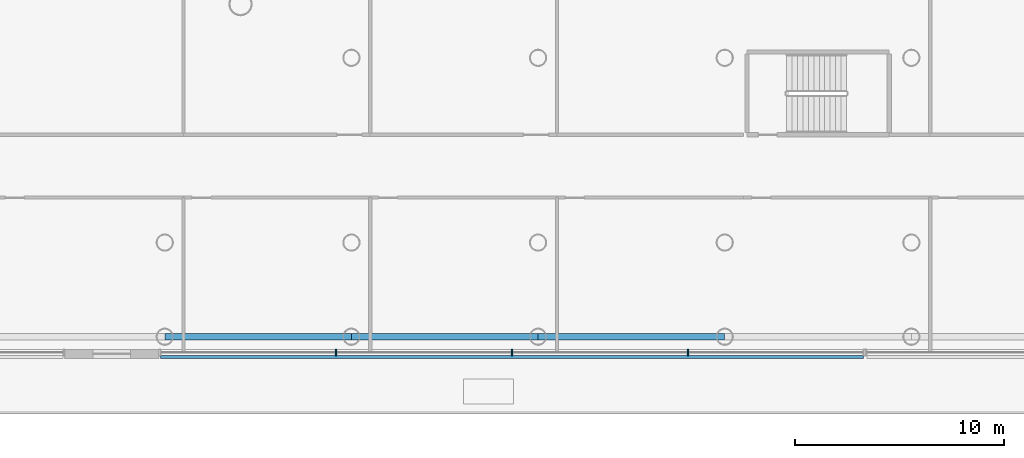
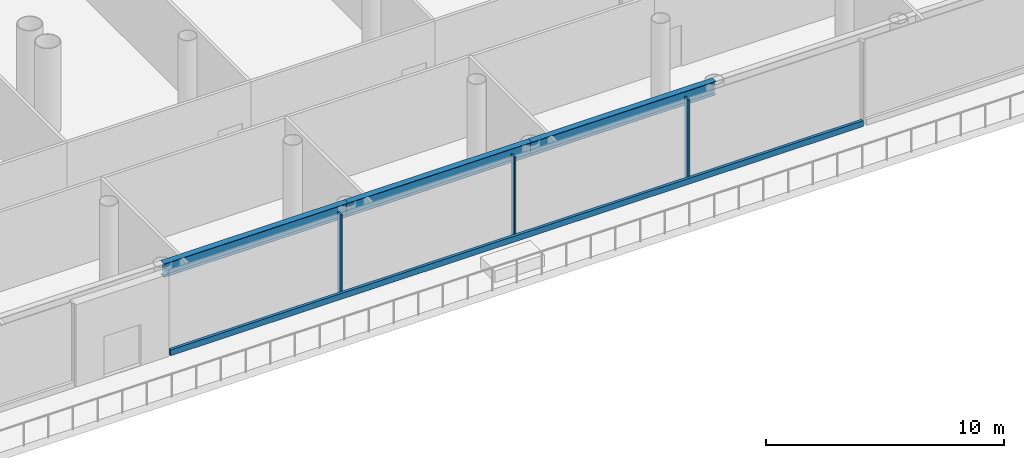
# One storey, part 6 of 51: 4 members, 3 beams, 1 element without a shape of its own.
"""IFC4 building model written with IfcOpenShell, lengths in metres."""

from ifc_helpers import new_model, si_unit, direction, frame, origin, origin_2d, place, context, subcontext, project, spatial, rectangle, i_section, extrude, material, layer, layer_set, material_profile, profile_set, type_object, element, aggregate, save


model = new_model("IFC4")

# Units and contexts
model_context = context("Model", 3, precision=1e-05, world=origin(), true_north=direction((0.0, 1.0)))
body_context = subcontext(model_context, "Body", "Model", "MODEL_VIEW")
ifc_project = project(units=[si_unit("LENGTHUNIT", "METRE"), si_unit("AREAUNIT", "SQUARE_METRE"), si_unit("VOLUMEUNIT", "CUBIC_METRE"), si_unit("PLANEANGLEUNIT", "RADIAN"), si_unit("MASSUNIT", "GRAM", prefix="KILO")], contexts=[model_context])

# Site, building, storey
site_placement = place(None, origin())
site = spatial("IfcSite", under=ifc_project, at=site_placement, CompositionType="ELEMENT")
building_placement = place(site_placement, origin())
building = spatial("IfcBuilding", under=site, at=building_placement, Name="Ipe Terrace Towers", CompositionType="ELEMENT")
storey_placement = place(building_placement, frame((0.0, 0.0, 15.5)))
storey = spatial("IfcBuildingStorey", under=building, at=storey_placement, Name="L03", CompositionType="ELEMENT", Elevation=15.5)

# Beams
ifc_material_1 = material(Name="Steel S355", Category="steel")
ifc_material_profile_1 = material_profile(ifc_material_1, i_section(OverallWidth=0.300048828125, OverallDepth=0.699951171875, WebThickness=0.012939453125, FlangeThickness=0.02392578125, at=origin_2d()), Name="H-700x300x13x24")
ifc_profile_set_1 = profile_set([ifc_material_profile_1], Name="Steel S355")
beam_type = type_object("IfcBeamType", Name="H13 DECK EDGE BEAM H-700x300x13x24", PredefinedType="BEAM", material=ifc_profile_set_1)
beam_1_placement = place(storey_placement, frame((-33.469970703125, -33.14990234375, 3.72998046875), z_axis=(1.0, 0.0, 0.0), x_axis=(0.0, 1.0, 0.0)))
element("IfcBeam", 1, at=beam_1_placement, inside=storey, type_object=beam_type, Name="Deck edge beam PD-TB-C05-C06", PredefinedType="BEAM", context=body_context, shape_type="SweptSolid", body=[
    extrude(i_section(OverallWidth=0.300048828125, OverallDepth=0.699951171875, WebThickness=0.012939453125, FlangeThickness=0.02392578125, at=origin_2d()), origin(), (0.0, 0.0, 1.0), 8.919921875),
])
beam_2_placement = place(storey_placement, frame((-24.550048828125, -33.14990234375, 3.72998046875), z_axis=(1.0, 0.0, 0.0), x_axis=(0.0, 1.0, 0.0)))
element("IfcBeam", 2, at=beam_2_placement, inside=storey, type_object=beam_type, Name="Deck edge beam PD-TB-C06-C07", PredefinedType="BEAM", context=body_context, shape_type="SweptSolid", body=[
    extrude(i_section(OverallWidth=0.300048828125, OverallDepth=0.699951171875, WebThickness=0.012939453125, FlangeThickness=0.02392578125, at=origin_2d()), origin(), (0.0, 0.0, 1.0), 8.920166015625),
])
beam_3_placement = place(storey_placement, frame((-15.6298828125, -33.14990234375, 3.72998046875), z_axis=(1.0, 0.0, 0.0), x_axis=(0.0, 1.0, 0.0)))
element("IfcBeam", 3, at=beam_3_placement, inside=storey, type_object=beam_type, Name="Deck edge beam PD-TB-C07-C08", PredefinedType="BEAM", context=body_context, shape_type="SweptSolid", body=[
    extrude(i_section(OverallWidth=0.300048828125, OverallDepth=0.699951171875, WebThickness=0.012939453125, FlangeThickness=0.02392578125, at=origin_2d()), origin(), (0.0, 0.0, 1.0), 8.919921875),
])

# Curtain wall, members
ifc_material_2 = material(Name="Aluminium alloy 6063-T6", Category="aluminium")
ifc_layer = layer(ifc_material_2, 0.43994140625)
ifc_layer_set = layer_set([ifc_layer], Name="PODIUM GLAZING CURTAIN WALL")
curtain_wall_type = type_object("IfcCurtainWallType", Name="PODIUM GLAZING CURTAIN WALL", PredefinedType="NOTDEFINED", material=ifc_layer_set)
curtain_wall_placement = place(storey_placement, origin())
curtain_wall = element("IfcCurtainWall", 4, at=curtain_wall_placement, inside=storey, type_object=curtain_wall_type, Name="POD-CW-L03-03c curtain wall", PredefinedType="NOTDEFINED")
ifc_material_3 = material(Name="Aluminium alloy 6063-T6", Category="aluminium")
ifc_material_profile_2 = material_profile(ifc_material_3, rectangle(XDim=0.300048828125, YDim=0.080078125, at=origin_2d()), Name="PODIUM GLAZING MULLION 300 x 80")
ifc_profile_set_2 = profile_set([ifc_material_profile_2], Name="Aluminium alloy 6063-T6")
member_type_1 = type_object("IfcMemberType", Name="PODIUM GLAZING MULLION 300 x 80", PredefinedType="MULLION", material=ifc_profile_set_2)
member_1_placement = place(storey_placement, frame((-25.29248046875, -33.89990234375, -0.02001953125), z_axis=(0.0, 0.0, 1.0), x_axis=(0.0, -1.0, 0.0)))
member_1 = element("IfcMember", 5, at=member_1_placement, type_object=member_type_1, Name="POD-CW-L03-03c mullion 2", PredefinedType="MULLION", context=body_context, shape_type="SweptSolid", body=[
    extrude(rectangle(XDim=0.300048828125, YDim=0.080078125, at=origin_2d()), origin(), (0.0, 0.0, 1.0), 4.219970703125),
])
member_2_placement = place(storey_placement, frame((-16.875, -33.89990234375, -0.02001953125), z_axis=(0.0, 0.0, 1.0), x_axis=(0.0, -1.0, 0.0)))
member_2 = element("IfcMember", 6, at=member_2_placement, type_object=member_type_1, Name="POD-CW-L03-03c mullion 3", PredefinedType="MULLION", context=body_context, shape_type="SweptSolid", body=[
    extrude(rectangle(XDim=0.300048828125, YDim=0.080078125, at=origin_2d()), origin(), (0.0, 0.0, 1.0), 4.219970703125),
])
member_3_placement = place(storey_placement, frame((-8.45751953125, -33.89990234375, -0.02001953125), z_axis=(0.0, 0.0, 1.0), x_axis=(0.0, -1.0, 0.0)))
member_3 = element("IfcMember", 7, at=member_3_placement, type_object=member_type_1, Name="POD-CW-L03-03c mullion 4", PredefinedType="MULLION", context=body_context, shape_type="SweptSolid", body=[
    extrude(rectangle(XDim=0.300048828125, YDim=0.080078125, at=origin_2d()), origin(), (0.0, 0.0, 1.0), 4.219970703125),
])
ifc_material_4 = material(Name="Aluminium alloy 6063-T6", Category="aluminium")
ifc_material_profile_3 = material_profile(ifc_material_4, rectangle(XDim=0.139892578125, YDim=0.300048828125, at=origin_2d()), Name="PODIUM GLAZING TRANSOM 140 x 300")
ifc_profile_set_3 = profile_set([ifc_material_profile_3], Name="Aluminium alloy 6063-T6")
member_type_2 = type_object("IfcMemberType", Name="PODIUM GLAZING TRANSOM 140 x 300", PredefinedType="USERDEFINED", material=ifc_profile_set_3)
member_4_placement = place(storey_placement, frame((-33.669921875, -34.1201171875, 0.1298828125), z_axis=(1.0, 0.0, 0.0), x_axis=(0.0, -1.0, 0.0)))
member_4 = element("IfcMember", 8, at=member_4_placement, type_object=member_type_2, Name="POD-CW-L03-03c transom", ObjectType="TRANSOM", PredefinedType="USERDEFINED", context=body_context, shape_type="SweptSolid", body=[
    extrude(rectangle(XDim=0.139892578125, YDim=0.300048828125, at=origin_2d()), origin(), (0.0, 0.0, 1.0), 33.58984375),
])
aggregate(curtain_wall, [member_1, member_2, member_3, member_4])

save(model, "model.ifc")
